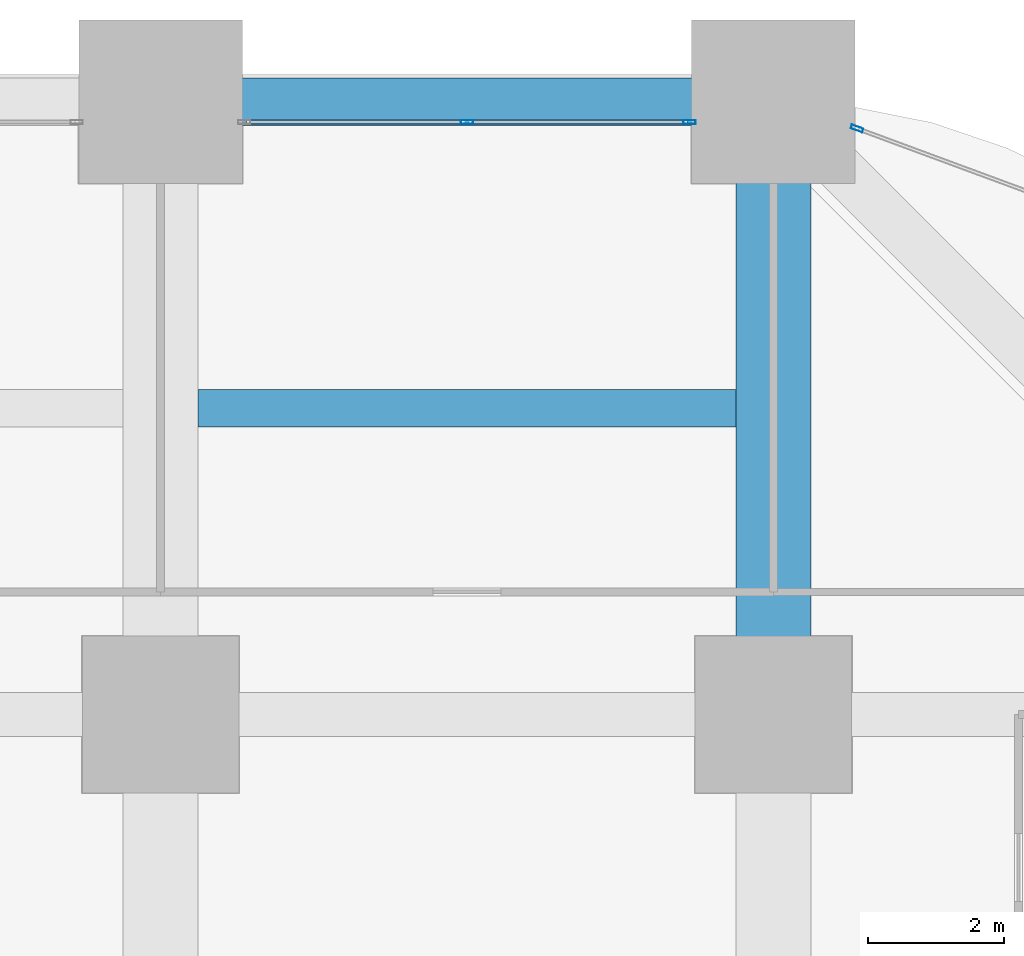
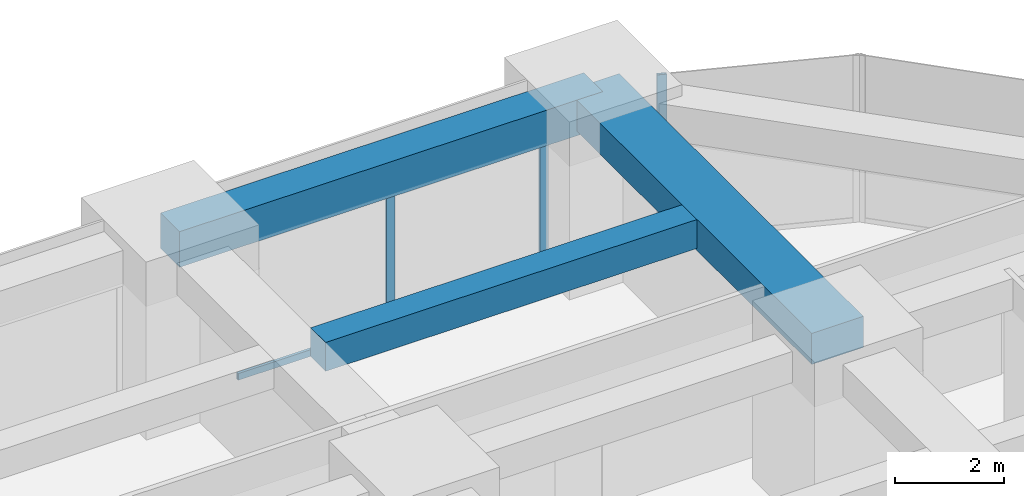
# One storey, part 36 of 45: 4 members, 3 beams, 2 elements without a shape of their own.
"""IFC4 building model written with IfcOpenShell, lengths in metres."""

from ifc_helpers import new_model, si_unit, direction, frame, origin, origin_2d, place, context, subcontext, project, spatial, rectangle, hollow_rectangle, extrude, material, material_profile, profile_set, type_object, element, aggregate, save


model = new_model("IFC4")

# Units and contexts
model_context = context("Model", 3, precision=1e-05, world=origin(), true_north=direction((0.0, 1.0)))
body_context = subcontext(model_context, "Body", "Model", "MODEL_VIEW")
ifc_project = project(units=[si_unit("LENGTHUNIT", "METRE"), si_unit("AREAUNIT", "SQUARE_METRE"), si_unit("VOLUMEUNIT", "CUBIC_METRE"), si_unit("PLANEANGLEUNIT", "RADIAN"), si_unit("MASSUNIT", "GRAM", prefix="KILO")], contexts=[model_context])

# Site, building, storey
site_placement = place(None, origin())
site = spatial("IfcSite", under=ifc_project, at=site_placement, CompositionType="ELEMENT")
building_placement = place(site_placement, origin())
building = spatial("IfcBuilding", under=site, at=building_placement, Name="Zorevar Civic Tower", CompositionType="ELEMENT")
storey_placement = place(building_placement, frame((0.0, 0.0, 23.800048828125)))
storey = spatial("IfcBuildingStorey", under=building, at=storey_placement, Name="L05", CompositionType="ELEMENT", Elevation=23.800048828125)

# Beams
ifc_material_1 = material(Name="Concrete C50/60", Category="concrete")
ifc_material_profile_1 = material_profile(ifc_material_1, rectangle(XDim=1.10009765625, YDim=0.699951171875, at=origin_2d()), Name="RC 1100x700")
ifc_profile_set_1 = profile_set([ifc_material_profile_1], Name="Concrete C50/60")
beam_type_1 = type_object("IfcBeamType", Name="Beam RC 1100x700", PredefinedType="BEAM", material=ifc_profile_set_1)
beam_1_placement = place(storey_placement, frame((54.0, 45.0, 3.39990234375), z_axis=(0.0, 1.0, 0.0), x_axis=(-1.0, 0.0, 0.0)))
element("IfcBeam", 1, at=beam_1_placement, inside=storey, type_object=beam_type_1, Name="Girder L06", PredefinedType="BEAM", context=body_context, shape_type="SweptSolid", body=[
    extrude(rectangle(XDim=1.10009765625, YDim=0.699951171875, at=origin_2d()), origin(), (0.0, 0.0, 1.0), 9.0),
])
ifc_material_2 = material(Name="Concrete C50/60", Category="concrete")
ifc_material_profile_2 = material_profile(ifc_material_2, rectangle(XDim=0.550048828125, YDim=0.64990234375, at=origin_2d()), Name="RC 550x650")
ifc_profile_set_2 = profile_set([ifc_material_profile_2], Name="Concrete C50/60")
beam_type_2 = type_object("IfcBeamType", Name="Beam RC 550x650", PredefinedType="BEAM", material=ifc_profile_set_2)
beam_2_placement = place(storey_placement, frame((45.550048828125, 49.5, 3.425048828125), z_axis=(1.0, 0.0, 0.0), x_axis=(0.0, 1.0, 0.0)))
element("IfcBeam", 2, at=beam_2_placement, inside=storey, type_object=beam_type_2, Name="Secondary beam L06", PredefinedType="BEAM", context=body_context, shape_type="SweptSolid", body=[
    extrude(rectangle(XDim=0.550048828125, YDim=0.64990234375, at=origin_2d()), origin(), (0.0, 0.0, 1.0), 7.89990234375),
])

# Curtain wall, members
ifc_material_3 = material(Name="Dark grey solar-control glass in black aluminium frame", Category="aluminium")
curtain_wall_type = type_object("IfcCurtainWallType", Name="Curtain wall CW2 low zone", PredefinedType="NOTDEFINED", material=ifc_material_3)
curtain_wall_1_placement = place(storey_placement, origin())
curtain_wall_1 = element("IfcCurtainWall", 3, at=curtain_wall_1_placement, inside=storey, type_object=curtain_wall_type, Name="CW2 L05", PredefinedType="NOTDEFINED")
ifc_material_4 = material(Name="Aluminium, black anodised", Category="aluminium")
ifc_material_profile_3 = material_profile(ifc_material_4, hollow_rectangle(XDim=0.06005859375, YDim=0.179931640625, WallThickness=0.00390625, at=origin_2d()), Name="AL 180x60x4")
ifc_profile_set_3 = profile_set([ifc_material_profile_3], Name="Aluminium, black anodised")
member_type_1 = type_object("IfcMemberType", Name="CW2 mullion AL 180x60x4", PredefinedType="MULLION", material=ifc_profile_set_3)
member_1_placement = place(storey_placement, frame((49.5, 53.699951171875, 0.06005859375), z_axis=(0.0, 0.0, 1.0), x_axis=(0.0, 1.0, 0.0)))
member_1 = element("IfcMember", 4, at=member_1_placement, type_object=member_type_1, Name="CW2 mullion 2", PredefinedType="MULLION", context=body_context, shape_type="SweptSolid", body=[
    extrude(hollow_rectangle(XDim=0.06005859375, YDim=0.179931640625, WallThickness=0.00390625, at=origin_2d()), origin(), (0.0, 0.0, 1.0), 2.889892578125),
])
member_2_placement = place(storey_placement, frame((52.77001953125, 53.699951171875, 0.0), z_axis=(0.0, 0.0, 1.0), x_axis=(0.0, 1.0, 0.0)))
member_2 = element("IfcMember", 5, at=member_2_placement, type_object=member_type_1, Name="CW2 mullion 3", PredefinedType="MULLION", context=body_context, shape_type="SweptSolid", body=[
    extrude(hollow_rectangle(XDim=0.06005859375, YDim=0.179931640625, WallThickness=0.00390625, at=origin_2d()), origin(), (0.0, 0.0, 1.0), 2.949951171875),
])

# Curtain wall, member
curtain_wall_2_placement = place(storey_placement, origin())
curtain_wall_2 = element("IfcCurtainWall", 6, at=curtain_wall_2_placement, inside=storey, type_object=curtain_wall_type, Name="CW2 L05", PredefinedType="NOTDEFINED")
member_3_placement = place(storey_placement, frame((55.22802734375, 53.6064453125, 0.0), z_axis=(0.0, 0.0, 1.0), x_axis=(-0.346704012033, -0.937974588163, 0.0)))
member_3 = element("IfcMember", 7, at=member_3_placement, type_object=member_type_1, Name="CW2 mullion 2", PredefinedType="MULLION", context=body_context, shape_type="SweptSolid", body=[
    extrude(hollow_rectangle(XDim=0.06005859375, YDim=0.179931640625, WallThickness=0.00390625, at=origin_2d()), origin(), (0.0, 0.0, 1.0), 3.75),
])
aggregate(curtain_wall_2, [member_3])

# Member
ifc_material_5 = material(Name="Aluminium, black anodised", Category="aluminium")
ifc_material_profile_4 = material_profile(ifc_material_5, hollow_rectangle(XDim=0.06005859375, YDim=0.14990234375, WallThickness=0.00390625, at=origin_2d()), Name="AL 150x60x4")
ifc_profile_set_4 = profile_set([ifc_material_profile_4], Name="Aluminium, black anodised")
member_type_2 = type_object("IfcMemberType", Name="CW2 transom AL 150x60x4", PredefinedType="USERDEFINED", material=ifc_profile_set_4)
member_4_placement = place(storey_placement, frame((46.260009765625, 53.699951171875, 0.030029296875), z_axis=(1.0, 0.0, 0.0), x_axis=(0.0, 1.0, 0.0)))
member_4 = element("IfcMember", 8, at=member_4_placement, type_object=member_type_2, Name="CW2 sill transom", ObjectType="TRANSOM", PredefinedType="USERDEFINED", context=body_context, shape_type="SweptSolid", body=[
    extrude(hollow_rectangle(XDim=0.06005859375, YDim=0.14990234375, WallThickness=0.00390625, at=origin_2d()), origin(), (0.0, 0.0, 1.0), 6.47998046875),
])

aggregate(curtain_wall_1, [member_1, member_2, member_4])

# Beam
ifc_material_6 = material(Name="Concrete C50/60", Category="concrete")
ifc_material_profile_5 = material_profile(ifc_material_6, rectangle(XDim=0.699951171875, YDim=0.800048828125, at=origin_2d()), Name="RC 700x800")
ifc_profile_set_5 = profile_set([ifc_material_profile_5], Name="Concrete C50/60")
beam_type_3 = type_object("IfcBeamType", Name="Edge beam RC 700x800", PredefinedType="SPANDREL", material=ifc_profile_set_5)
beam_3_placement = place(storey_placement, frame((45.0, 54.0, 3.349853515625), z_axis=(1.0, 0.0, 0.0), x_axis=(0.0, 1.0, 0.0)))
element("IfcBeam", 9, at=beam_3_placement, inside=storey, type_object=beam_type_3, Name="Edge beam L06", PredefinedType="SPANDREL", context=body_context, shape_type="SweptSolid", body=[
    extrude(rectangle(XDim=0.699951171875, YDim=0.800048828125, at=origin_2d()), origin(), (0.0, 0.0, 1.0), 9.0),
])

save(model, "model.ifc")
